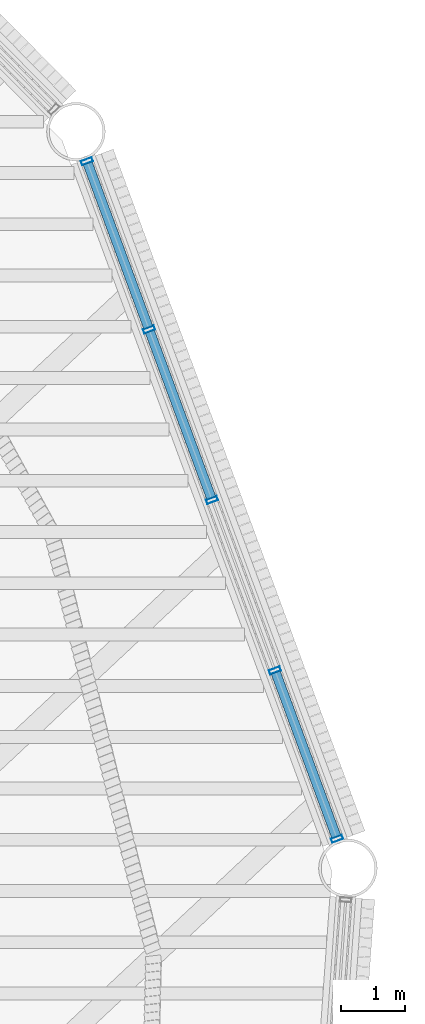
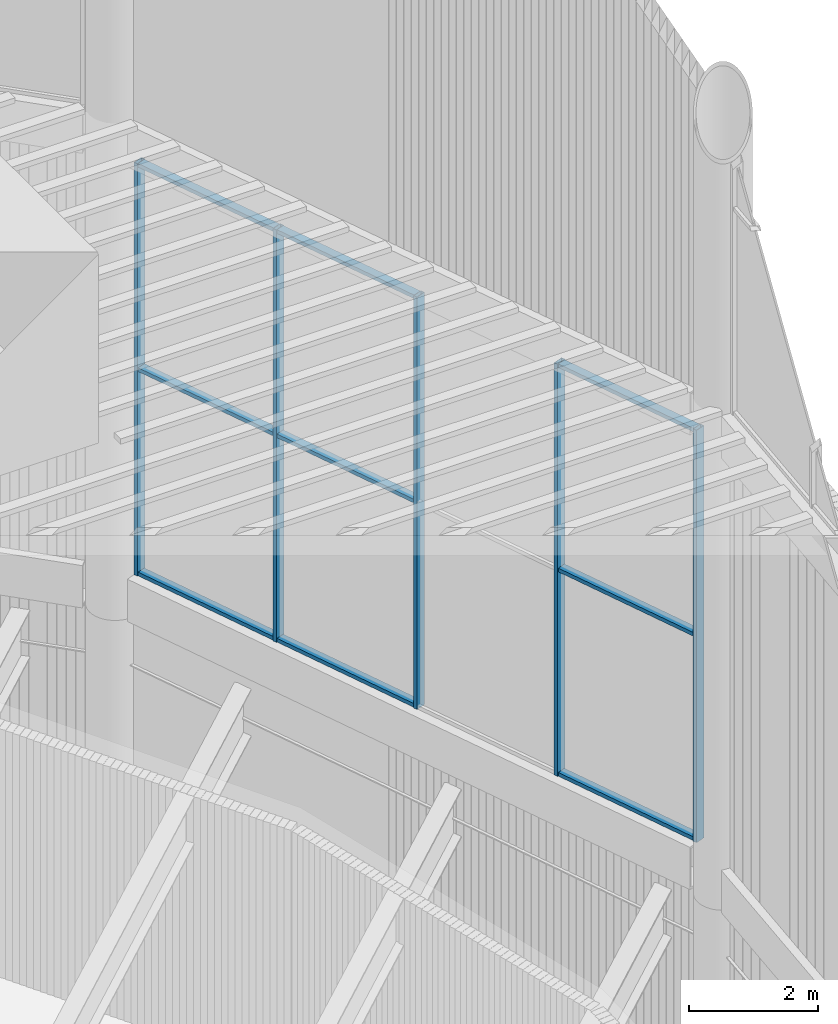
# One storey, part 74 of 117: 14 members, 1 element without a shape of its own.
"""IFC4 building model written with IfcOpenShell, lengths in metres."""

import ifcopenshell
import ifcopenshell.guid

model = None  # the IFC model being written
_history = None  # IfcOwnerHistory: only IFC2X3 demands one
_inside = {}  # id of a spatial element -> (the spatial element, [elements in it])
_under = {}  # id of a project, library or spatial element -> (it, [spatial elements below it])
_declared = {}  # id of a project -> (the project, [libraries it declares])
_typed = {}  # id of a type object -> (the type object, [elements of that type])
_made_of = {}  # id of a material, layer set ... -> (it, [elements and type objects made of it])


def new_model(schema):
    """Start an empty IFC model of exactly this schema.

    Asked for "IFC4X3", IfcOpenShell would pick the latest addendum, in which some entities
    have other attributes; the version numbers below select the first issue.
    IFC2X3 requires an IfcOwnerHistory on every rooted entity: one is made here for all.
    """
    global model, _history
    if schema == "IFC4X3":
        model = ifcopenshell.file(schema_version=(4, 3, 0, 0))
    else:
        model = ifcopenshell.file(schema=schema)
    _inside.clear()
    _under.clear()
    _declared.clear()
    _typed.clear()
    _made_of.clear()
    _history = None
    if model.schema == "IFC2X3":
        org = make("IfcOrganization", Name="unknown")
        user = make(
            "IfcPersonAndOrganization",
            ThePerson=make("IfcPerson", FamilyName="unknown"),
            TheOrganization=org,
        )
        app = make(
            "IfcApplication",
            ApplicationDeveloper=org,
            Version="unknown",
            ApplicationFullName="unknown",
            ApplicationIdentifier="unknown",
        )
        _history = make(
            "IfcOwnerHistory",
            OwningUser=user,
            OwningApplication=app,
            ChangeAction="ADDED",
            CreationDate=0,
        )
    return model


def make(cls, **values):
    """One entity of the class cls with the attributes given. An attribute that is None is left unset."""
    return model.create_entity(
        cls, **{name: value for name, value in values.items() if value is not None}
    )


def rooted(cls, **values):
    """An entity with a GlobalId (a new one), such as an element, a storey or a relation."""
    return make(cls, GlobalId=ifcopenshell.guid.new(), OwnerHistory=_history, **values)


def si_unit(unit_type, name, prefix=None):
    """IfcSIUnit, for example si_unit("LENGTHUNIT", "METRE", prefix="MILLI")."""
    return make("IfcSIUnit", UnitType=unit_type, Prefix=prefix, Name=name)


def assignment(units):
    """IfcUnitAssignment: the units of a project."""
    return None if units is None else make("IfcUnitAssignment", Units=units)


def point(xyz):
    """IfcCartesianPoint."""
    return None if xyz is None else make("IfcCartesianPoint", Coordinates=xyz)


def direction(xyz):
    """IfcDirection."""
    return None if xyz is None else make("IfcDirection", DirectionRatios=xyz)


def frame(location, z_axis=None, x_axis=None):
    """IfcAxis2Placement3D, a coordinate frame: its origin and axes. An axis left out is left unset."""
    return make(
        "IfcAxis2Placement3D",
        Location=point(location),
        Axis=direction(z_axis),
        RefDirection=direction(x_axis),
    )


def frame_2d(location, x_axis=None):
    """IfcAxis2Placement2D, a coordinate frame in the plane: its origin and x axis."""
    return make(
        "IfcAxis2Placement2D", Location=point(location), RefDirection=direction(x_axis)
    )


def origin():
    """The frame at (0, 0, 0) with its axes left unset."""
    return frame((0.0, 0.0, 0.0))


def origin_2d():
    """The frame at (0, 0) in the plane with its x axis left unset."""
    return frame_2d((0.0, 0.0))


def place(relative_to, where):
    """IfcLocalPlacement: puts the frame where relative to a parent placement (None: the world)."""
    return make(
        "IfcLocalPlacement", PlacementRelTo=relative_to, RelativePlacement=where
    )


def context(
    kind, dimensions, precision=None, world=None, true_north=None, identifier=None
):
    """IfcGeometricRepresentationContext, for example the 3D "Model" context."""
    return make(
        "IfcGeometricRepresentationContext",
        ContextIdentifier=identifier,
        ContextType=kind,
        CoordinateSpaceDimension=dimensions,
        Precision=precision,
        WorldCoordinateSystem=world,
        TrueNorth=true_north,
    )


def subcontext(parent, identifier, kind, view, scale=None):
    """IfcGeometricRepresentationSubContext, for example "Body" below "Model"."""
    return make(
        "IfcGeometricRepresentationSubContext",
        ContextIdentifier=identifier,
        ContextType=kind,
        ParentContext=parent,
        TargetScale=scale,
        TargetView=view,
    )


def project(units=None, contexts=None):
    """IfcProject with its units and contexts."""
    return rooted(
        "IfcProject",
        Name="project",
        RepresentationContexts=contexts,
        UnitsInContext=assignment(units),
    )


def spatial(cls, under=None, at=None, **own):
    """A site, building, storey or space (cls), placed at a placement, below another one or the project."""
    s = rooted(cls, ObjectPlacement=at, **own)
    if under is not None:
        _under.setdefault(under.id(), (under, []))[1].append(s)
    return s


def profile(cls, at=None, kind="AREA", **sizes):
    """A parametric profile (cls). Its sizes go by their IFC names, for example OverallWidth=200.0."""
    return make(cls, ProfileType=kind, Position=at, **sizes)


def hollow_rectangle(**sizes):
    """IfcRectangleHollowProfileDef."""
    return profile("IfcRectangleHollowProfileDef", **sizes)


def extrude(swept, where, along, depth):
    """IfcExtrudedAreaSolid: the profile swept, set in the frame where, extruded along a direction by depth."""
    return make(
        "IfcExtrudedAreaSolid",
        SweptArea=swept,
        Position=where,
        ExtrudedDirection=direction(along),
        Depth=depth,
    )


def shape(context_of_items, identifier, shape_type, items):
    """IfcShapeRepresentation: the items that make up one representation, for example the "Body"."""
    return make(
        "IfcShapeRepresentation",
        ContextOfItems=context_of_items,
        RepresentationIdentifier=identifier,
        RepresentationType=shape_type,
        Items=items,
    )


def material(Name=None, Category=None):
    """IfcMaterial."""
    return make("IfcMaterial", Name=Name, Category=Category)


def layer(
    of_material, thickness, ventilated=None, Name=None, Category=None, Priority=None
):
    """IfcMaterialLayer: one layer of a wall or slab, of a material (None: an air gap)."""
    return make(
        "IfcMaterialLayer",
        Material=of_material,
        LayerThickness=thickness,
        IsVentilated=ventilated,
        Name=Name,
        Category=Category,
        Priority=Priority,
    )


def layer_set(layers, Name=None):
    """IfcMaterialLayerSet."""
    return make("IfcMaterialLayerSet", MaterialLayers=layers, LayerSetName=Name)


def material_profile(
    of_material, cross_section, Name=None, Category=None, Priority=None
):
    """IfcMaterialProfile: a cross section and its material."""
    return make(
        "IfcMaterialProfile",
        Name=Name,
        Material=of_material,
        Profile=cross_section,
        Priority=Priority,
        Category=Category,
    )


def profile_set(profiles, Name=None, composite=None):
    """IfcMaterialProfileSet."""
    return make(
        "IfcMaterialProfileSet",
        Name=Name,
        MaterialProfiles=profiles,
        CompositeProfile=composite,
    )


def made_of(thing, what):
    """Note that an element or type object is made of a material, layer set ...; save() writes the relation."""
    if what is not None:
        _made_of.setdefault(what.id(), (what, []))[1].append(thing)
    return thing


def type_object(cls, material=None, **own):
    """A type object (cls), such as IfcWallType, which elements share."""
    return made_of(rooted(cls, **own), material)


def element(
    cls,
    number,
    at=None,
    inside=None,
    cuts=None,
    type_object=None,
    material=None,
    context=None,
    identifier="Body",
    shape_type=None,
    held_by="IfcProductDefinitionShape",
    body=None,
    shapes=None,
    **own,
):
    """One element of the class cls, such as IfcWall. Its Tag is "e" and its number.

    at: its placement. inside: the storey or other place that contains it. cuts: it is an
    opening in that element (IfcRelVoidsElement). A single representation is given by context,
    identifier, shape_type and body (its items); several are given by shapes. held_by: the class
    of the entity that holds the representations. save() writes the other relations.
    """
    e = rooted(cls, Tag="e%d" % number, ObjectPlacement=at, **own)
    if body is not None:
        shapes = [shape(context, identifier, shape_type, body)]
    if shapes is not None:
        e.Representation = make(held_by, Representations=shapes)
    if inside is not None:
        _inside.setdefault(inside.id(), (inside, []))[1].append(e)
    if cuts is not None:
        rooted(
            "IfcRelVoidsElement", RelatingBuildingElement=cuts, RelatedOpeningElement=e
        )
    if type_object is not None:
        _typed.setdefault(type_object.id(), (type_object, []))[1].append(e)
    return made_of(e, material)


def aggregate(whole, parts):
    """IfcRelAggregates: a whole, such as a stair, and the parts it consists of."""
    return rooted("IfcRelAggregates", RelatingObject=whole, RelatedObjects=parts)


def save(model, path):
    """Write the relations noted so far, then the file.

    IfcRelAggregates (storeys below a building ...), IfcRelContainedInSpatialStructure (elements
    in a storey), IfcRelDefinesByType, IfcRelAssociatesMaterial and IfcRelDeclares: one each for
    every whole, place, type object, material and project.
    """
    for whole, parts in _under.values():
        aggregate(whole, parts)
    for where, things in _inside.values():
        rooted(
            "IfcRelContainedInSpatialStructure",
            RelatedElements=things,
            RelatingStructure=where,
        )
    for kind, things in _typed.values():
        rooted("IfcRelDefinesByType", RelatedObjects=things, RelatingType=kind)
    for what, things in _made_of.values():
        rooted("IfcRelAssociatesMaterial", RelatedObjects=things, RelatingMaterial=what)
    for by, libraries in _declared.values():
        rooted("IfcRelDeclares", RelatingContext=by, RelatedDefinitions=libraries)
    model.write(path)


model = new_model("IFC4")

# Units and contexts
model_context = context("Model", 3, precision=1e-05, world=origin(), true_north=direction((0.0, 1.0)))
body_context = subcontext(model_context, "Body", "Model", "MODEL_VIEW")
ifc_project = project(units=[si_unit("LENGTHUNIT", "METRE"), si_unit("AREAUNIT", "SQUARE_METRE"), si_unit("VOLUMEUNIT", "CUBIC_METRE"), si_unit("PLANEANGLEUNIT", "RADIAN"), si_unit("MASSUNIT", "GRAM", prefix="KILO")], contexts=[model_context])

# Site, building, storey
site_placement = place(None, origin())
site = spatial("IfcSite", under=ifc_project, at=site_placement, CompositionType="ELEMENT")
building_placement = place(site_placement, origin())
building = spatial("IfcBuilding", under=site, at=building_placement, Name="Tarsis Ring Headquarters", CompositionType="ELEMENT")
storey_placement = place(building_placement, frame((0.0, 0.0, 403.60009765625)))
storey = spatial("IfcBuildingStorey", under=building, at=storey_placement, Name="L95", CompositionType="ELEMENT", Elevation=403.60009765625)

# Curtain wall, members
ifc_material_1 = material(Name="Aluminium curtain wall", Category="aluminium")
ifc_layer = layer(ifc_material_1, 0.179931640625)
ifc_layer_set = layer_set([ifc_layer], Name="Curtain wall crown glazing")
curtain_wall_type = type_object("IfcCurtainWallType", Name="Curtain wall crown glazing", PredefinedType="NOTDEFINED", material=ifc_layer_set)
curtain_wall_placement = place(storey_placement, origin())
curtain_wall = element("IfcCurtainWall", 1, at=curtain_wall_placement, inside=storey, type_object=curtain_wall_type, Name="Crown glazing L7", PredefinedType="NOTDEFINED")
ifc_material_2 = material(Name="Aluminium mullion", Category="aluminium")
ifc_material_profile_1 = material_profile(ifc_material_2, hollow_rectangle(XDim=0.179931640625, YDim=0.070068359375, WallThickness=0.0048828125, at=origin_2d()), Name="RHS 180x70x5")
ifc_profile_set_1 = profile_set([ifc_material_profile_1], Name="Aluminium mullion")
member_type_1 = type_object("IfcMemberType", Name="Crown glazing mullion RHS 180x70x5", PredefinedType="MULLION", material=ifc_profile_set_1)
member_1_placement = place(storey_placement, frame((28.5888671875, 4.55078125, 5.7998046875), z_axis=(0.0, 0.0, 1.0), x_axis=(-0.938108136978, -0.346342494267, 0.0)))
member_1 = element("IfcMember", 2, at=member_1_placement, type_object=member_type_1, Name="CW-C mullion 1", PredefinedType="MULLION", context=body_context, shape_type="SweptSolid", body=[
    extrude(hollow_rectangle(XDim=0.179931640625, YDim=0.070068359375, WallThickness=0.0048828125, at=origin_2d()), origin(), (0.0, 0.0, 1.0), 7.800048828125),
])
member_2_placement = place(storey_placement, frame((27.61962890625, 7.17626953125, 5.7998046875), z_axis=(0.0, 0.0, 1.0), x_axis=(-0.938108136978, -0.346342494267, 0.0)))
member_2 = element("IfcMember", 3, at=member_2_placement, type_object=member_type_1, Name="CW-C mullion 2", PredefinedType="MULLION", context=body_context, shape_type="SweptSolid", body=[
    extrude(hollow_rectangle(XDim=0.179931640625, YDim=0.070068359375, WallThickness=0.0048828125, at=origin_2d()), origin(), (0.0, 0.0, 1.0), 7.800048828125),
])
member_3_placement = place(storey_placement, frame((26.63818359375, 9.83447265625, 5.7998046875), z_axis=(0.0, 0.0, 1.0), x_axis=(-0.938108136978, -0.346342494267, 0.0)))
member_3 = element("IfcMember", 4, at=member_3_placement, type_object=member_type_1, Name="CW-C mullion 3", PredefinedType="MULLION", context=body_context, shape_type="SweptSolid", body=[
    extrude(hollow_rectangle(XDim=0.179931640625, YDim=0.070068359375, WallThickness=0.0048828125, at=origin_2d()), origin(), (0.0, 0.0, 1.0), 7.800048828125),
])
member_4_placement = place(storey_placement, frame((25.65673828125, 12.492919921875, 5.7998046875), z_axis=(0.0, 0.0, 1.0), x_axis=(-0.938108136978, -0.346342494267, 0.0)))
member_4 = element("IfcMember", 5, at=member_4_placement, type_object=member_type_1, Name="CW-C mullion 4", PredefinedType="MULLION", context=body_context, shape_type="SweptSolid", body=[
    extrude(hollow_rectangle(XDim=0.179931640625, YDim=0.070068359375, WallThickness=0.0048828125, at=origin_2d()), origin(), (0.0, 0.0, 1.0), 7.800048828125),
])
member_5_placement = place(storey_placement, frame((24.687255859375, 15.118408203125, 5.7998046875), z_axis=(0.0, 0.0, 1.0), x_axis=(-0.938108136978, -0.346342494267, 0.0)))
member_5 = element("IfcMember", 6, at=member_5_placement, type_object=member_type_1, Name="CW-C mullion 5", PredefinedType="MULLION", context=body_context, shape_type="SweptSolid", body=[
    extrude(hollow_rectangle(XDim=0.179931640625, YDim=0.070068359375, WallThickness=0.0048828125, at=origin_2d()), origin(), (0.0, 0.0, 1.0), 7.800048828125),
])
ifc_material_3 = material(Name="Aluminium transom", Category="aluminium")
ifc_material_profile_2 = material_profile(ifc_material_3, hollow_rectangle(XDim=0.14990234375, YDim=0.070068359375, WallThickness=0.0048828125, at=origin_2d()), Name="RHS 150x70x5")
ifc_profile_set_2 = profile_set([ifc_material_profile_2], Name="Aluminium transom")
member_type_2 = type_object("IfcMemberType", Name="Crown glazing transom RHS 150x70x5", PredefinedType="USERDEFINED", material=ifc_profile_set_2)
member_6_placement = place(storey_placement, frame((28.57666015625, 4.58349609375, 5.8349609375), z_axis=(-0.34634379909, 0.938107655246, 0.0), x_axis=(-0.938107655246, -0.34634379909, 0.0)))
member_6 = element("IfcMember", 7, at=member_6_placement, type_object=member_type_2, Name="CW-C transom 1.1", ObjectType="TRANSOM", PredefinedType="USERDEFINED", context=body_context, shape_type="SweptSolid", body=[
    extrude(hollow_rectangle(XDim=0.14990234375, YDim=0.070068359375, WallThickness=0.0048828125, at=origin_2d()), origin(), (0.0, 0.0, 1.0), 2.728759765625),
])
member_7_placement = place(storey_placement, frame((28.57666015625, 4.58349609375, 9.699951171875), z_axis=(-0.34634379909, 0.938107655246, 0.0), x_axis=(-0.938107655246, -0.34634379909, 0.0)))
member_7 = element("IfcMember", 8, at=member_7_placement, type_object=member_type_2, Name="CW-C transom 1.2", ObjectType="TRANSOM", PredefinedType="USERDEFINED", context=body_context, shape_type="SweptSolid", body=[
    extrude(hollow_rectangle(XDim=0.14990234375, YDim=0.070068359375, WallThickness=0.0048828125, at=origin_2d()), origin(), (0.0, 0.0, 1.0), 2.728759765625),
])
member_8_placement = place(storey_placement, frame((28.57666015625, 4.58349609375, 13.56494140625), z_axis=(-0.34634379909, 0.938107655246, 0.0), x_axis=(-0.938107655246, -0.34634379909, 0.0)))
member_8 = element("IfcMember", 9, at=member_8_placement, type_object=member_type_2, Name="CW-C transom 1.3", ObjectType="TRANSOM", PredefinedType="USERDEFINED", context=body_context, shape_type="SweptSolid", body=[
    extrude(hollow_rectangle(XDim=0.14990234375, YDim=0.070068359375, WallThickness=0.0048828125, at=origin_2d()), origin(), (0.0, 0.0, 1.0), 2.728759765625),
])
member_9_placement = place(storey_placement, frame((26.6259765625, 9.867431640625, 5.8349609375), z_axis=(-0.346384847047, 0.938092499563, 0.0), x_axis=(-0.938092499563, -0.346384847047, 0.0)))
member_9 = element("IfcMember", 10, at=member_9_placement, type_object=member_type_2, Name="CW-C transom 3.1", ObjectType="TRANSOM", PredefinedType="USERDEFINED", context=body_context, shape_type="SweptSolid", body=[
    extrude(hollow_rectangle(XDim=0.14990234375, YDim=0.070068359375, WallThickness=0.0048828125, at=origin_2d()), origin(), (0.0, 0.0, 1.0), 2.763671875),
])
member_10_placement = place(storey_placement, frame((26.6259765625, 9.867431640625, 9.699951171875), z_axis=(-0.346384847047, 0.938092499563, 0.0), x_axis=(-0.938092499563, -0.346384847047, 0.0)))
member_10 = element("IfcMember", 11, at=member_10_placement, type_object=member_type_2, Name="CW-C transom 3.2", ObjectType="TRANSOM", PredefinedType="USERDEFINED", context=body_context, shape_type="SweptSolid", body=[
    extrude(hollow_rectangle(XDim=0.14990234375, YDim=0.070068359375, WallThickness=0.0048828125, at=origin_2d()), origin(), (0.0, 0.0, 1.0), 2.763671875),
])
member_11_placement = place(storey_placement, frame((26.6259765625, 9.867431640625, 13.56494140625), z_axis=(-0.346384847047, 0.938092499563, 0.0), x_axis=(-0.938092499563, -0.346384847047, 0.0)))
member_11 = element("IfcMember", 12, at=member_11_placement, type_object=member_type_2, Name="CW-C transom 3.3", ObjectType="TRANSOM", PredefinedType="USERDEFINED", context=body_context, shape_type="SweptSolid", body=[
    extrude(hollow_rectangle(XDim=0.14990234375, YDim=0.070068359375, WallThickness=0.0048828125, at=origin_2d()), origin(), (0.0, 0.0, 1.0), 2.763671875),
])
member_12_placement = place(storey_placement, frame((25.64453125, 12.525634765625, 5.8349609375), z_axis=(-0.34631473141, 0.93811838635, 0.0), x_axis=(-0.93811838635, -0.34631473141, 0.0)))
member_12 = element("IfcMember", 13, at=member_12_placement, type_object=member_type_2, Name="CW-C transom 4.1", ObjectType="TRANSOM", PredefinedType="USERDEFINED", context=body_context, shape_type="SweptSolid", body=[
    extrude(hollow_rectangle(XDim=0.14990234375, YDim=0.070068359375, WallThickness=0.0048828125, at=origin_2d()), origin(), (0.0, 0.0, 1.0), 2.72900390625),
])
member_13_placement = place(storey_placement, frame((25.64453125, 12.525634765625, 9.699951171875), z_axis=(-0.34631473141, 0.93811838635, 0.0), x_axis=(-0.93811838635, -0.34631473141, 0.0)))
member_13 = element("IfcMember", 14, at=member_13_placement, type_object=member_type_2, Name="CW-C transom 4.2", ObjectType="TRANSOM", PredefinedType="USERDEFINED", context=body_context, shape_type="SweptSolid", body=[
    extrude(hollow_rectangle(XDim=0.14990234375, YDim=0.070068359375, WallThickness=0.0048828125, at=origin_2d()), origin(), (0.0, 0.0, 1.0), 2.72900390625),
])
member_14_placement = place(storey_placement, frame((25.64453125, 12.525634765625, 13.56494140625), z_axis=(-0.34631473141, 0.93811838635, 0.0), x_axis=(-0.93811838635, -0.34631473141, 0.0)))
member_14 = element("IfcMember", 15, at=member_14_placement, type_object=member_type_2, Name="CW-C transom 4.3", ObjectType="TRANSOM", PredefinedType="USERDEFINED", context=body_context, shape_type="SweptSolid", body=[
    extrude(hollow_rectangle(XDim=0.14990234375, YDim=0.070068359375, WallThickness=0.0048828125, at=origin_2d()), origin(), (0.0, 0.0, 1.0), 2.72900390625),
])
aggregate(curtain_wall, [member_1, member_2, member_3, member_4, member_5, member_6, member_7, member_8, member_9, member_10, member_11, member_12, member_13, member_14])

save(model, "model.ifc")
